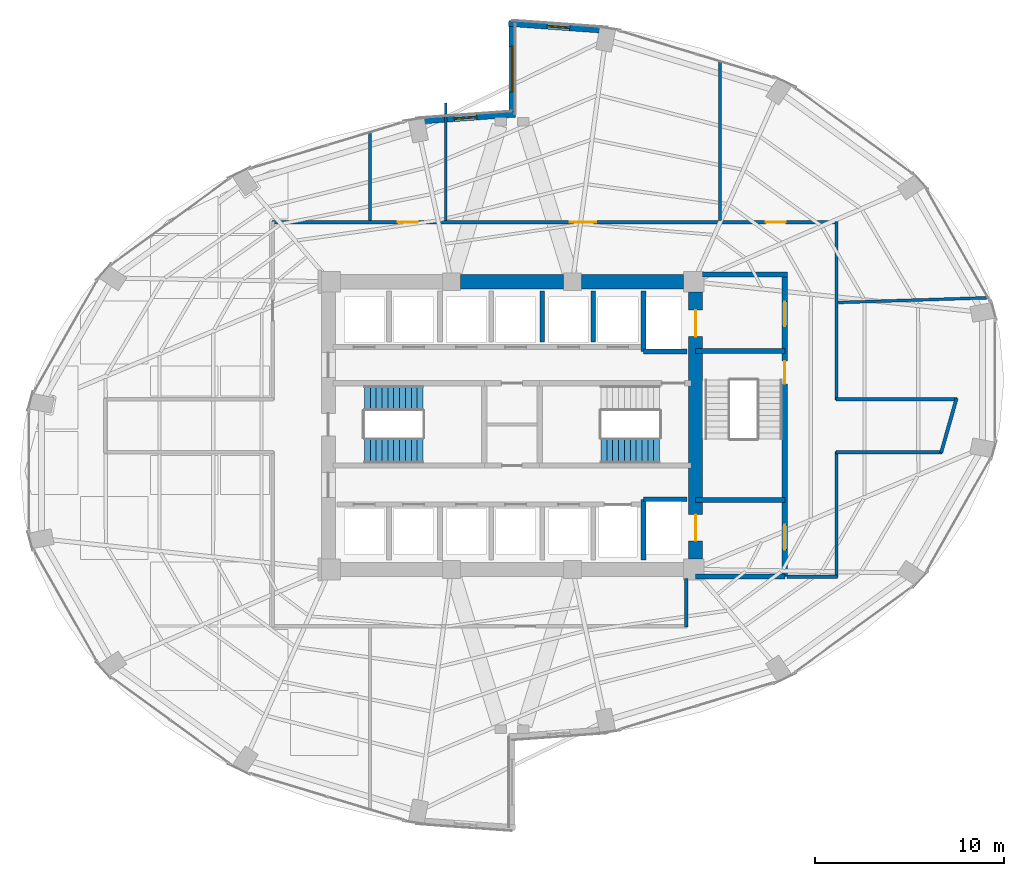
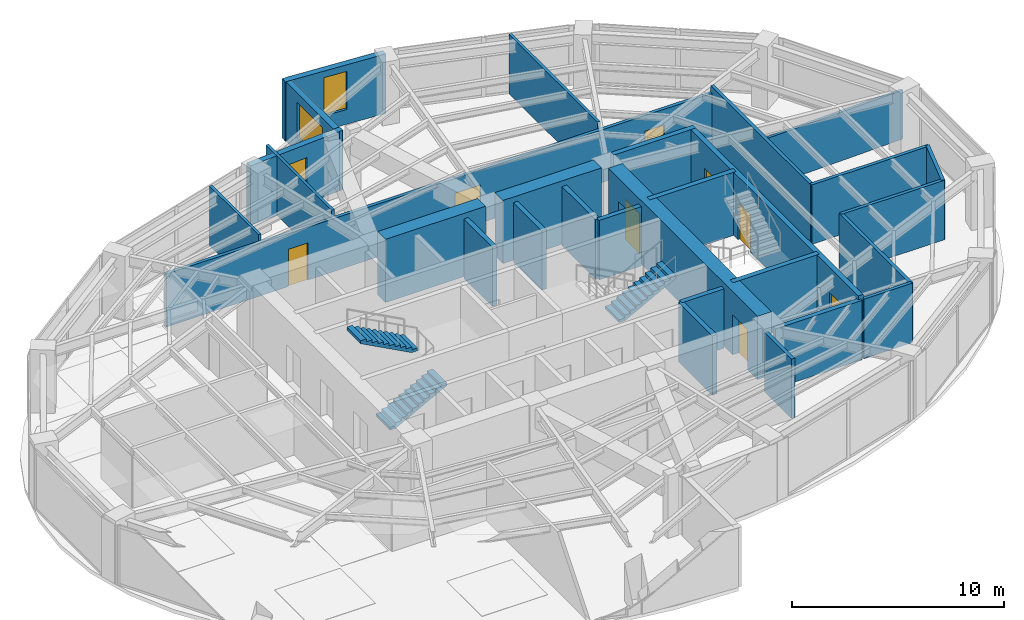
# One storey, part 20 of 23: 29 walls, 8 doors, 3 stair flights, 3 windows, 11 openings, 2 elements without a shape of their own.
"""IFC4 building model written with IfcOpenShell, lengths in metres."""

from ifc_helpers import new_model, si_unit, direction, frame, frame_2d, origin, place, context, subcontext, project, spatial, polyline, rectangle, outline, extrude, material, layer, layer_set, type_object, element, fill, aggregate, save


model = new_model("IFC4")

# Units and contexts
model_context = context("Model", 3, precision=1e-05, world=origin(), true_north=direction((0.0, 1.0)))
body_context = subcontext(model_context, "Body", "Model", "MODEL_VIEW")
ifc_project = project(units=[si_unit("LENGTHUNIT", "METRE"), si_unit("AREAUNIT", "SQUARE_METRE"), si_unit("VOLUMEUNIT", "CUBIC_METRE"), si_unit("PLANEANGLEUNIT", "RADIAN"), si_unit("MASSUNIT", "GRAM", prefix="KILO")], contexts=[model_context])

# Site, building, storey
site_placement = place(None, origin())
site = spatial("IfcSite", under=ifc_project, at=site_placement, CompositionType="ELEMENT")
building_placement = place(site_placement, origin())
building = spatial("IfcBuilding", under=site, at=building_placement, Name="Lazwardi Medical Tower", CompositionType="ELEMENT")
storey_placement = place(building_placement, frame((0.0, 0.0, 125.52001953125)))
storey = spatial("IfcBuildingStorey", under=building, at=storey_placement, Name="L32", CompositionType="ELEMENT", Elevation=125.52001953125)

# Wall, openings, doors
ifc_material_1 = material(Name="Fire-rated gypsum board on steel stud", Category="steel")
ifc_layer_1 = layer(ifc_material_1, 0.179931640625)
ifc_layer_set_1 = layer_set([ifc_layer_1], Name="Fire-rated gypsum board on steel stud")
wall_type_1 = type_object("IfcWallType", Name="WL-COR-180", PredefinedType="PARTITIONING", material=ifc_layer_set_1)
wall_1_placement = place(storey_placement, frame((23.31005859375, 38.75, 0.0), z_axis=(0.0, 0.0, 1.0), x_axis=(1.0, 0.0, 0.0)))
wall_1 = element("IfcWall", 1, at=wall_1_placement, inside=storey, type_object=wall_type_1, Name="L32 Corridor partition 4", PredefinedType="PARTITIONING", context=body_context, shape_type="SweptSolid", body=[
    extrude(rectangle(XDim=29.8798828125, YDim=0.179931640625, at=frame_2d((14.93994140625, 0.0))), origin(), (0.0, 0.0, 1.0), 3.052978515625),
])
opening_1_placement = place(wall_1_placement, frame((26.10107421875, 0.0, 0.0)))
opening_1 = element("IfcOpeningElement", 2, at=opening_1_placement, cuts=wall_1, Name="Opening D-L32-009", PredefinedType="OPENING", context=body_context, shape_type="SweptSolid", body=[
    extrude(rectangle(XDim=1.050048828125, YDim=2.14990234375, at=frame_2d((0.52490234375, 1.074951171875))), frame((0.0, 0.099853515625, 0.0), z_axis=(0.0, -1.0, 0.0), x_axis=(1.0, 0.0, 0.0)), (0.0, 0.0, 1.0), 0.199951171875),
])
opening_2_placement = place(wall_1_placement, frame((15.739990234375, 0.0, 0.0)))
opening_2 = element("IfcOpeningElement", 3, at=opening_2_placement, cuts=wall_1, Name="Opening D-L32-010", PredefinedType="OPENING", context=body_context, shape_type="SweptSolid", body=[
    extrude(rectangle(XDim=1.39990234375, YDim=2.199951171875, at=frame_2d((0.699951171875, 1.10009765625))), frame((0.0, 0.099853515625, 0.0), z_axis=(0.0, -1.0, 0.0), x_axis=(1.0, 0.0, 0.0)), (0.0, 0.0, 1.0), 0.199951171875),
])
opening_3_placement = place(wall_1_placement, frame((6.6650390625, 0.0, 0.0)))
opening_3 = element("IfcOpeningElement", 4, at=opening_3_placement, cuts=wall_1, Name="Opening D-L32-011", PredefinedType="OPENING", context=body_context, shape_type="SweptSolid", body=[
    extrude(rectangle(XDim=1.050048828125, YDim=2.14990234375, at=frame_2d((0.52490234375, 1.074951171875))), frame((0.0, 0.099853515625, 0.0), z_axis=(0.0, -1.0, 0.0), x_axis=(1.0, 0.0, 0.0)), (0.0, 0.0, 1.0), 0.199951171875),
])
ifc_material_2 = material(Name="Anti-microbial laminate hospital leaf")
door_type_1 = type_object("IfcDoorType", Name="DR-BED-1400", OperationType="NOTDEFINED", PredefinedType="DOOR", material=ifc_material_2)
door_1_placement = place(opening_2_placement, origin())
door_1 = element("IfcDoor", 5, at=door_1_placement, inside=storey, type_object=door_type_1, Name="L32 Patient Day Lounge Door 04", OperationType="SINGLE_SWING_RIGHT", OverallHeight=2.199951171875, OverallWidth=1.39990234375, PredefinedType="DOOR", context=body_context, shape_type="SweptSolid", body=[
    extrude(rectangle(XDim=1.39990234375, YDim=2.199951171875, at=frame_2d((0.699951171875, 1.10009765625))), frame((0.0, 0.02490234375, 0.0), z_axis=(0.0, -1.0, 0.0), x_axis=(1.0, 0.0, 0.0)), (0.0, 0.0, 1.0), 0.050048828125),
])
fill(opening_2, door_1)
door_type_2 = type_object("IfcDoorType", Name="DR-CLN-1050", OperationType="NOTDEFINED", PredefinedType="DOOR", material=ifc_material_2)
door_2_placement = place(opening_1_placement, origin())
door_2 = element("IfcDoor", 6, at=door_2_placement, inside=storey, type_object=door_type_2, Name="L32 Outpatient Consultation Suite Door 03", OperationType="SINGLE_SWING_LEFT", OverallHeight=2.14990234375, OverallWidth=1.050048828125, PredefinedType="DOOR", context=body_context, shape_type="SweptSolid", body=[
    extrude(rectangle(XDim=1.050048828125, YDim=2.14990234375, at=frame_2d((0.52490234375, 1.074951171875))), frame((0.0, 0.02490234375, 0.0), z_axis=(0.0, -1.0, 0.0), x_axis=(1.0, 0.0, 0.0)), (0.0, 0.0, 1.0), 0.050048828125),
])
fill(opening_1, door_2)
door_3_placement = place(opening_3_placement, origin())
door_3 = element("IfcDoor", 7, at=door_3_placement, inside=storey, type_object=door_type_2, Name="L32 Medical Duty Staff Room Door 05", OperationType="SINGLE_SWING_LEFT", OverallHeight=2.14990234375, OverallWidth=1.050048828125, PredefinedType="DOOR", context=body_context, shape_type="SweptSolid", body=[
    extrude(rectangle(XDim=1.050048828125, YDim=2.14990234375, at=frame_2d((0.52490234375, 1.074951171875))), frame((0.0, 0.02490234375, 0.0), z_axis=(0.0, -1.0, 0.0), x_axis=(1.0, 0.0, 0.0)), (0.0, 0.0, 1.0), 0.050048828125),
])
fill(opening_3, door_3)

# Walls
wall_2_placement = place(storey_placement, frame((53.14990234375, 38.7900390625, 0.0), z_axis=(0.0, 0.0, 1.0), x_axis=(0.0, -1.0, 0.0)))
element("IfcWall", 8, at=wall_2_placement, inside=storey, type_object=wall_type_1, Name="L32 Corridor partition 5", PredefinedType="PARTITIONING", context=body_context, shape_type="SweptSolid", body=[
    extrude(rectangle(XDim=9.429931640625, YDim=0.179931640625, at=frame_2d((4.71484375, 0.0))), origin(), (0.0, 0.0, 1.0), 3.427978515625),
])
wall_3_placement = place(storey_placement, frame((53.110107421875, 29.39990234375, 0.0), z_axis=(0.0, 0.0, 1.0), x_axis=(1.0, 0.0, 0.0)))
element("IfcWall", 9, at=wall_3_placement, inside=storey, type_object=wall_type_1, Name="L32 Corridor partition 6", PredefinedType="PARTITIONING", context=body_context, shape_type="SweptSolid", body=[
    extrude(rectangle(XDim=6.41259765625, YDim=0.179931640625, at=frame_2d((3.206298828125, 0.0))), origin(), (0.0, 0.0, 1.0), 3.427978515625),
])
wall_4_placement = place(storey_placement, frame((59.49365234375, 29.4384765625, 0.0), z_axis=(0.0, 0.0, 1.0), x_axis=(-0.273222154729, -0.961950962453, 0.0)))
element("IfcWall", 10, at=wall_4_placement, inside=storey, type_object=wall_type_1, Name="L32 Corridor partition 7", PredefinedType="PARTITIONING", context=body_context, shape_type="SweptSolid", body=[
    extrude(rectangle(XDim=2.99072265625, YDim=0.179931640625, at=frame_2d((1.495361328125, 0.0))), origin(), (0.0, 0.0, 1.0), 3.427978515625),
])
wall_5_placement = place(storey_placement, frame((58.727294921875, 26.60009765625, 0.0), z_axis=(0.0, 0.0, 1.0), x_axis=(-1.0, 0.0, 0.0)))
element("IfcWall", 11, at=wall_5_placement, inside=storey, type_object=wall_type_1, Name="L32 Corridor partition 8", PredefinedType="PARTITIONING", context=body_context, shape_type="SweptSolid", body=[
    extrude(rectangle(XDim=5.6171875, YDim=0.179931640625, at=frame_2d((2.80859375, 0.0))), origin(), (0.0, 0.0, 1.0), 3.427978515625),
])
wall_6_placement = place(storey_placement, frame((53.14990234375, 26.639892578125, 0.0), z_axis=(0.0, 0.0, 1.0), x_axis=(0.0, -1.0, 0.0)))
element("IfcWall", 12, at=wall_6_placement, inside=storey, type_object=wall_type_1, Name="L32 Corridor partition 9", PredefinedType="PARTITIONING", context=body_context, shape_type="SweptSolid", body=[
    extrude(rectangle(XDim=6.659912109375, YDim=0.179931640625, at=frame_2d((3.330078125, 0.0))), origin(), (0.0, 0.0, 1.0), 3.427978515625),
])
wall_7_placement = place(storey_placement, frame((53.18994140625, 20.02001953125, 0.0), z_axis=(0.0, 0.0, 1.0), x_axis=(-1.0, 0.0, 0.0)))
element("IfcWall", 13, at=wall_7_placement, inside=storey, type_object=wall_type_1, Name="L32 Corridor partition 10", PredefinedType="PARTITIONING", context=body_context, shape_type="SweptSolid", body=[
    extrude(rectangle(XDim=2.64990234375, YDim=0.179931640625, at=frame_2d((1.324951171875, 0.0))), origin(), (0.0, 0.0, 1.0), 3.427978515625),
])
wall_8_placement = place(storey_placement, frame((45.199951171875, 19.909912109375, 0.0), z_axis=(0.0, 0.0, 1.0), x_axis=(0.0, -1.0, 0.0)))
element("IfcWall", 14, at=wall_8_placement, inside=storey, type_object=wall_type_1, Name="L32 Corridor partition 13", PredefinedType="PARTITIONING", context=body_context, shape_type="SweptSolid", body=[
    extrude(rectangle(XDim=2.5498046875, YDim=0.179931640625, at=frame_2d((1.27490234375, 0.0))), origin(), (0.0, 0.0, 1.0), 3.427978515625),
])

# Wall, openings, doors
ifc_material_3 = material(Name="Concrete C70/85", Category="concrete")
ifc_layer_2 = layer(ifc_material_3, 0.75)
ifc_layer_set_2 = layer_set([ifc_layer_2], Name="Concrete C70/85")
wall_type_2 = type_object("IfcWallType", Name="WL-CORE-750", PredefinedType="SHEAR", material=ifc_layer_set_2)
wall_9_placement = place(storey_placement, frame((45.699951171875, 20.949951171875, 0.0), z_axis=(0.0, 0.0, 1.0), x_axis=(0.0, 1.0, 0.0)))
wall_9 = element("IfcWall", 15, at=wall_9_placement, inside=storey, type_object=wall_type_2, Name="Core wall CW-S2 east L32", PredefinedType="SHEAR", context=body_context, shape_type="SweptSolid", body=[
    extrude(rectangle(XDim=14.10009765625, YDim=0.75, at=frame_2d((7.050048828125, 0.0))), origin(), (0.0, 0.0, 1.0), 3.64794921875),
])
opening_4_placement = place(wall_9_placement, frame((11.75, 0.0, 0.0)))
opening_4 = element("IfcOpeningElement", 16, at=opening_4_placement, cuts=wall_9, Name="Opening LD-L32-001", PredefinedType="OPENING", context=body_context, shape_type="SweptSolid", body=[
    extrude(rectangle(XDim=1.39990234375, YDim=2.300048828125, at=frame_2d((0.699951171875, 1.14990234375))), frame((0.0, 0.385009765625, 0.0), z_axis=(0.0, -1.0, 0.0), x_axis=(1.0, 0.0, 0.0)), (0.0, 0.0, 1.0), 0.77001953125),
])
opening_5_placement = place(wall_9_placement, frame((0.949951171875, 0.0, 0.0)))
opening_5 = element("IfcOpeningElement", 17, at=opening_5_placement, cuts=wall_9, Name="Opening LD-L32-002", PredefinedType="OPENING", context=body_context, shape_type="SweptSolid", body=[
    extrude(rectangle(XDim=1.39990234375, YDim=2.300048828125, at=frame_2d((0.699951171875, 1.14990234375))), frame((0.0, 0.385009765625, 0.0), z_axis=(0.0, -1.0, 0.0), x_axis=(1.0, 0.0, 0.0)), (0.0, 0.0, 1.0), 0.77001953125),
])
ifc_material_4 = material(Name="Brushed stainless steel bed-lift landing door", Category="steel")
door_type_3 = type_object("IfcDoorType", Name="DR-LFT-1400", OperationType="NOTDEFINED", PredefinedType="DOOR", material=ifc_material_4)
door_4_placement = place(opening_4_placement, origin())
door_4 = element("IfcDoor", 18, at=door_4_placement, inside=storey, type_object=door_type_3, Name="L32 Lift Landing Door FL-01", OperationType="SLIDING_TO_LEFT", OverallHeight=2.300048828125, OverallWidth=1.39990234375, PredefinedType="DOOR", context=body_context, shape_type="SweptSolid", body=[
    extrude(rectangle(XDim=1.39990234375, YDim=2.300048828125, at=frame_2d((0.699951171875, 1.14990234375))), frame((0.0, 0.02490234375, 0.0), z_axis=(0.0, -1.0, 0.0), x_axis=(1.0, 0.0, 0.0)), (0.0, 0.0, 1.0), 0.050048828125),
])
fill(opening_4, door_4)
door_5_placement = place(opening_5_placement, origin())
door_5 = element("IfcDoor", 19, at=door_5_placement, inside=storey, type_object=door_type_3, Name="L32 Lift Landing Door FL-02", OperationType="SLIDING_TO_LEFT", OverallHeight=2.300048828125, OverallWidth=1.39990234375, PredefinedType="DOOR", context=body_context, shape_type="SweptSolid", body=[
    extrude(rectangle(XDim=1.39990234375, YDim=2.300048828125, at=frame_2d((0.699951171875, 1.14990234375))), frame((0.0, 0.02490234375, 0.0), z_axis=(0.0, -1.0, 0.0), x_axis=(1.0, 0.0, 0.0)), (0.0, 0.0, 1.0), 0.050048828125),
])
fill(opening_5, door_5)

# Walls
wall_10_placement = place(storey_placement, frame((33.27490234375, 35.60009765625, 0.0), z_axis=(0.0, 0.0, 1.0), x_axis=(1.0, 0.0, 0.0)))
element("IfcWall", 20, at=wall_10_placement, inside=storey, type_object=wall_type_2, Name="Core wall CW-S2 N2 L32", PredefinedType="SHEAR", context=body_context, shape_type="SweptSolid", body=[
    extrude(rectangle(XDim=5.4501953125, YDim=0.75, at=frame_2d((2.72509765625, 0.0))), origin(), (0.0, 0.0, 1.0), 3.64794921875),
])
wall_11_placement = place(storey_placement, frame((39.675048828125, 35.60009765625, 0.0), z_axis=(0.0, 0.0, 1.0), x_axis=(1.0, 0.0, 0.0)))
element("IfcWall", 21, at=wall_11_placement, inside=storey, type_object=wall_type_2, Name="Core wall CW-S2 N3 L32", PredefinedType="SHEAR", context=body_context, shape_type="SweptSolid", body=[
    extrude(rectangle(XDim=5.375, YDim=0.75, at=frame_2d((2.6875, 0.0))), origin(), (0.0, 0.0, 1.0), 3.64794921875),
])

# Wall, opening, window
ifc_material_5 = material(Name="Precast concrete C45/55", Category="concrete")
ifc_layer_3 = layer(ifc_material_5, 0.320068359375)
ifc_layer_set_3 = layer_set([ifc_layer_3], Name="Precast concrete C45/55")
wall_type_3 = type_object("IfcWallType", Name="WL-IWAN-320", PredefinedType="SOLIDWALL", material=ifc_layer_set_3)
wall_12_placement = place(storey_placement, frame((41.091064453125, 48.87451171875, 0.0), z_axis=(0.0, 0.0, 1.0), x_axis=(-0.997432364291, 0.071614793619, 0.0)))
wall_12 = element("IfcWall", 22, at=wall_12_placement, inside=storey, type_object=wall_type_3, Name="L32 Iwan Portal Return Wall NE_ret", PredefinedType="SOLIDWALL", context=body_context, shape_type="SweptSolid", body=[
    extrude(rectangle(XDim=5.2841796875, YDim=0.320068359375, at=frame_2d((2.64208984375, 0.0))), origin(), (0.0, 0.0, 1.0), 3.427978515625),
])
opening_6_placement = place(wall_12_placement, frame((2.0419921875, 0.0, 0.85009765625)))
opening_6 = element("IfcOpeningElement", 23, at=opening_6_placement, cuts=wall_12, Name="Opening WN-01", PredefinedType="OPENING", context=body_context, shape_type="SweptSolid", body=[
    extrude(rectangle(XDim=1.199951171875, YDim=2.199951171875, at=frame_2d((0.60009765625, 1.10009765625))), frame((0.0, 0.169921875, 0.0), z_axis=(0.0, -1.0, 0.0), x_axis=(1.0, 0.0, 0.0)), (0.0, 0.0, 1.0), 0.340087890625),
])
ifc_material_6 = material(Name="Low-e bronze solar control double glazing", Category="glass")
window_type_1 = type_object("IfcWindowType", Name="WIN-IW-1200", PartitioningType="SINGLE_PANEL", PredefinedType="WINDOW", material=ifc_material_6)
window_1_placement = place(opening_6_placement, origin())
window_1 = element("IfcWindow", 24, at=window_1_placement, inside=storey, type_object=window_type_1, Name="L32 Iwan Slot Window NE_ret", OverallHeight=2.199951171875, OverallWidth=1.199951171875, PartitioningType="SINGLE_PANEL", PredefinedType="WINDOW", context=body_context, shape_type="SweptSolid", body=[
    extrude(rectangle(XDim=1.199951171875, YDim=2.199951171875, at=frame_2d((0.60009765625, 1.10009765625))), frame((0.0, 0.030029296875, 0.0), z_axis=(0.0, -1.0, 0.0), x_axis=(1.0, 0.0, 0.0)), (0.0, 0.0, 1.0), 0.06005859375),
])
fill(opening_6, window_1)

wall_13_placement = place(storey_placement, frame((36.178955078125, 44.452880859375, 0.0), z_axis=(0.0, 0.0, 1.0), x_axis=(-0.997431890304, -0.071621394884, 0.0)))
wall_13 = element("IfcWall", 25, at=wall_13_placement, inside=storey, type_object=wall_type_3, Name="L32 Iwan Portal Return Wall NW_ret", PredefinedType="SOLIDWALL", context=body_context, shape_type="SweptSolid", body=[
    extrude(rectangle(XDim=5.28369140625, YDim=0.320068359375, at=frame_2d((2.641845703125, 0.0))), origin(), (0.0, 0.0, 1.0), 3.427978515625),
])
opening_7_placement = place(wall_13_placement, frame((2.041748046875, 0.0, 0.85009765625)))
opening_7 = element("IfcOpeningElement", 26, at=opening_7_placement, cuts=wall_13, Name="Opening WN-04", PredefinedType="OPENING", context=body_context, shape_type="SweptSolid", body=[
    extrude(rectangle(XDim=1.199951171875, YDim=1.800048828125, at=frame_2d((0.60009765625, 0.89990234375))), frame((0.0, 0.169921875, 0.0), z_axis=(0.0, -1.0, 0.0), x_axis=(1.0, 0.0, 0.0)), (0.0, 0.0, 1.0), 0.340087890625),
])
window_type_2 = type_object("IfcWindowType", Name="WIN-DRUM-1200", PartitioningType="SINGLE_PANEL", PredefinedType="WINDOW", material=ifc_material_6)
window_2_placement = place(opening_7_placement, origin())
window_2 = element("IfcWindow", 27, at=window_2_placement, inside=storey, type_object=window_type_2, Name="L32 Iwan Slot Window NW_ret", OverallHeight=1.800048828125, OverallWidth=1.199951171875, PartitioningType="SINGLE_PANEL", PredefinedType="WINDOW", context=body_context, shape_type="SweptSolid", body=[
    extrude(rectangle(XDim=1.199951171875, YDim=1.800048828125, at=frame_2d((0.60009765625, 0.89990234375))), frame((0.0, 0.030029296875, 0.0), z_axis=(0.0, -1.0, 0.0), x_axis=(1.0, 0.0, 0.0)), (0.0, 0.0, 1.0), 0.06005859375),
])
fill(opening_7, window_2)

wall_14_placement = place(storey_placement, frame((36.0, 49.39990234375, 0.0), z_axis=(0.0, 0.0, 1.0), x_axis=(0.0, -1.0, 0.0)))
wall_14 = element("IfcWall", 28, at=wall_14_placement, inside=storey, type_object=wall_type_3, Name="L32 Turquoise Tilework Iwan Seam Wall N_seam", PredefinedType="SOLIDWALL", context=body_context, shape_type="SweptSolid", body=[
    extrude(rectangle(XDim=5.119873046875, YDim=0.320068359375, at=frame_2d((2.56005859375, 0.0))), origin(), (0.0, 0.0, 1.0), 3.427978515625),
])
opening_8_placement = place(wall_14_placement, frame((1.360107421875, 0.0, 0.840087890625)))
opening_8 = element("IfcOpeningElement", 29, at=opening_8_placement, cuts=wall_14, Name="Opening WN-02", PredefinedType="OPENING", context=body_context, shape_type="SweptSolid", body=[
    extrude(rectangle(XDim=2.39990234375, YDim=2.0400390625, at=frame_2d((1.199951171875, 1.02001953125))), frame((0.0, 0.169921875, 0.0), z_axis=(0.0, -1.0, 0.0), x_axis=(1.0, 0.0, 0.0)), (0.0, 0.0, 1.0), 0.340087890625),
])
window_type_3 = type_object("IfcWindowType", Name="WIN-IW-2400", PartitioningType="SINGLE_PANEL", PredefinedType="WINDOW", material=ifc_material_6)
window_3_placement = place(opening_8_placement, origin())
window_3 = element("IfcWindow", 30, at=window_3_placement, inside=storey, type_object=window_type_3, Name="L32 Iwan Seam Window N_seam", OverallHeight=2.0400390625, OverallWidth=2.39990234375, PartitioningType="SINGLE_PANEL", PredefinedType="WINDOW", context=body_context, shape_type="SweptSolid", body=[
    extrude(rectangle(XDim=2.39990234375, YDim=2.0400390625, at=frame_2d((1.199951171875, 1.02001953125))), frame((0.0, 0.030029296875, 0.0), z_axis=(0.0, -1.0, 0.0), x_axis=(1.0, 0.0, 0.0)), (0.0, 0.0, 1.0), 0.06005859375),
])
fill(opening_8, window_3)

# Walls
ifc_material_7 = material(Name="Autoclaved aerated concrete blockwork", Category="masonry")
ifc_layer_4 = layer(ifc_material_7, 0.25)
ifc_layer_set_4 = layer_set([ifc_layer_4], Name="Autoclaved aerated concrete blockwork")
wall_type_4 = type_object("IfcWallType", Name="WL-SHAFT-250", PredefinedType="SOLIDWALL", material=ifc_layer_set_4)
wall_15_placement = place(storey_placement, frame((42.949951171875, 31.919921875, 0.0), z_axis=(0.0, 0.0, 1.0), x_axis=(0.0, 1.0, 0.0)))
element("IfcWall", 31, at=wall_15_placement, inside=storey, type_object=wall_type_4, Name="L32 FL-01 West shaft wall", PredefinedType="SOLIDWALL", context=body_context, shape_type="SweptSolid", body=[
    extrude(rectangle(XDim=3.18017578125, YDim=0.25, at=frame_2d((1.590087890625, 0.0))), origin(), (0.0, 0.0, 1.0), 3.427978515625),
])
wall_16_placement = place(storey_placement, frame((42.949951171875, 31.919921875, 0.0), z_axis=(0.0, 0.0, 1.0), x_axis=(1.0, 0.0, 0.0)))
element("IfcWall", 32, at=wall_16_placement, inside=storey, type_object=wall_type_4, Name="L32 FL-01 South shaft wall", PredefinedType="SOLIDWALL", context=body_context, shape_type="SweptSolid", body=[
    extrude(rectangle(XDim=2.300048828125, YDim=0.25, at=frame_2d((1.14990234375, 0.0))), origin(), (0.0, 0.0, 1.0), 3.427978515625),
])
wall_17_placement = place(storey_placement, frame((42.949951171875, 20.89990234375, 0.0), z_axis=(0.0, 0.0, 1.0), x_axis=(0.0, 1.0, 0.0)))
element("IfcWall", 33, at=wall_17_placement, inside=storey, type_object=wall_type_4, Name="L32 FL-02 West shaft wall", PredefinedType="SOLIDWALL", context=body_context, shape_type="SweptSolid", body=[
    extrude(rectangle(XDim=3.2001953125, YDim=0.25, at=frame_2d((1.60009765625, 0.0))), origin(), (0.0, 0.0, 1.0), 3.427978515625),
])
wall_18_placement = place(storey_placement, frame((42.949951171875, 24.10009765625, 0.0), z_axis=(0.0, 0.0, 1.0), x_axis=(1.0, 0.0, 0.0)))
element("IfcWall", 34, at=wall_18_placement, inside=storey, type_object=wall_type_4, Name="L32 FL-02 North shaft wall", PredefinedType="SOLIDWALL", context=body_context, shape_type="SweptSolid", body=[
    extrude(rectangle(XDim=2.300048828125, YDim=0.25, at=frame_2d((1.14990234375, 0.0))), origin(), (0.0, 0.0, 1.0), 3.427978515625),
])
for number, where, z_axis, x_axis, name in (
    (35, (37.60009765625, 32.419921875, 0.0), (0.0, 0.0, 1.0), (0.0, 1.0, 0.0), "L32 North hoistway divider"),
    (36, (40.300048828125, 32.419921875, 0.0), (0.0, 0.0, 1.0), (0.0, 1.0, 0.0), "L32 North hoistway divider"),
):
    element("IfcWall", number, at=place(storey_placement, frame(where, z_axis=z_axis, x_axis=x_axis)), inside=storey, type_object=wall_type_4, Name=name, PredefinedType="SOLIDWALL", context=body_context, shape_type="SweptSolid", body=[
        extrude(rectangle(XDim=2.68017578125, YDim=0.25, at=frame_2d((1.340087890625, 0.0))), origin(), (0.0, 0.0, 1.0), 3.427978515625),
    ])
wall_19_placement = place(storey_placement, frame((45.699951171875, 20.02001953125, 0.0), z_axis=(0.0, 0.0, 1.0), x_axis=(1.0, 0.0, 0.0)))
element("IfcWall", 37, at=wall_19_placement, inside=storey, type_object=wall_type_4, Name="L32 FFL-S South wall", PredefinedType="SOLIDWALL", context=body_context, shape_type="SweptSolid", body=[
    extrude(rectangle(XDim=4.715087890625, YDim=0.25, at=frame_2d((2.357421875, 0.0))), origin(), (0.0, 0.0, 1.0), 3.427978515625),
])

# Wall, openings, doors
ifc_material_8 = material(Name="Concrete C50/60", Category="concrete")
ifc_layer_5 = layer(ifc_material_8, 0.27001953125)
ifc_layer_set_5 = layer_set([ifc_layer_5], Name="Concrete C50/60")
wall_type_5 = type_object("IfcWallType", Name="WL-STR-250", PredefinedType="SHEAR", material=ifc_layer_set_5)
wall_20_placement = place(storey_placement, frame((50.4150390625, 35.844970703125, 0.0), z_axis=(0.0, 0.0, 1.0), x_axis=(0.0, -1.0, 0.0)))
wall_20 = element("IfcWall", 38, at=wall_20_placement, inside=storey, type_object=wall_type_5, Name="L32 East ST3 & FFL shear wall SW-S1", PredefinedType="SHEAR", context=body_context, shape_type="SweptSolid", body=[
    extrude(rectangle(XDim=15.824951171875, YDim=0.27001953125, at=frame_2d((7.91259765625, 0.0))), origin(), (0.0, 0.0, 1.0), 3.64794921875),
])
opening_9_placement = place(wall_20_placement, frame((4.445068359375, 0.0, 0.0)))
opening_9 = element("IfcOpeningElement", 39, at=opening_9_placement, cuts=wall_20, Name="Opening D-L32-014", PredefinedType="OPENING", context=body_context, shape_type="SweptSolid", body=[
    extrude(rectangle(XDim=1.199951171875, YDim=2.14990234375, at=frame_2d((0.60009765625, 1.074951171875))), frame((0.0, 0.14501953125, 0.0), z_axis=(0.0, -1.0, 0.0), x_axis=(1.0, 0.0, 0.0)), (0.0, 0.0, 1.0), 0.2900390625),
])
opening_10_placement = place(wall_20_placement, frame((1.294921875, 0.0, 0.0)))
opening_10 = element("IfcOpeningElement", 40, at=opening_10_placement, cuts=wall_20, Name="Opening D-L32-003", PredefinedType="OPENING", context=body_context, shape_type="SweptSolid", body=[
    extrude(rectangle(XDim=1.300048828125, YDim=2.199951171875, at=frame_2d((0.64990234375, 1.10009765625))), frame((0.0, 0.14501953125, 0.0), z_axis=(0.0, -1.0, 0.0), x_axis=(1.0, 0.0, 0.0)), (0.0, 0.0, 1.0), 0.2900390625),
])
opening_11_placement = place(wall_20_placement, frame((13.094970703125, 0.0, 0.0)))
opening_11 = element("IfcOpeningElement", 41, at=opening_11_placement, cuts=wall_20, Name="Opening D-L32-004", PredefinedType="OPENING", context=body_context, shape_type="SweptSolid", body=[
    extrude(rectangle(XDim=1.300048828125, YDim=2.199951171875, at=frame_2d((0.64990234375, 1.10009765625))), frame((0.0, 0.14501953125, 0.0), z_axis=(0.0, -1.0, 0.0), x_axis=(1.0, 0.0, 0.0)), (0.0, 0.0, 1.0), 0.2900390625),
])
ifc_material_9 = material(Name="Fire-rated steel leaf and frame", Category="steel")
door_type_4 = type_object("IfcDoorType", Name="DR-FFL-1300", OperationType="NOTDEFINED", PredefinedType="DOOR", material=ifc_material_9)
door_6_placement = place(opening_10_placement, origin())
door_6 = element("IfcDoor", 42, at=door_6_placement, inside=storey, type_object=door_type_4, Name="L32 Fire-Fighting Lobby North Door", OperationType="SINGLE_SWING_LEFT", OverallHeight=2.199951171875, OverallWidth=1.300048828125, PredefinedType="DOOR", context=body_context, shape_type="SweptSolid", body=[
    extrude(rectangle(XDim=1.300048828125, YDim=2.199951171875, at=frame_2d((0.64990234375, 1.10009765625))), frame((0.0, 0.02490234375, 0.0), z_axis=(0.0, -1.0, 0.0), x_axis=(1.0, 0.0, 0.0)), (0.0, 0.0, 1.0), 0.050048828125),
])
fill(opening_10, door_6)
door_7_placement = place(opening_11_placement, origin())
door_7 = element("IfcDoor", 43, at=door_7_placement, inside=storey, type_object=door_type_4, Name="L32 Fire-Fighting Lobby South Door", OperationType="SINGLE_SWING_RIGHT", OverallHeight=2.199951171875, OverallWidth=1.300048828125, PredefinedType="DOOR", context=body_context, shape_type="SweptSolid", body=[
    extrude(rectangle(XDim=1.300048828125, YDim=2.199951171875, at=frame_2d((0.64990234375, 1.10009765625))), frame((0.0, 0.02490234375, 0.0), z_axis=(0.0, -1.0, 0.0), x_axis=(1.0, 0.0, 0.0)), (0.0, 0.0, 1.0), 0.050048828125),
])
fill(opening_11, door_7)
door_type_5 = type_object("IfcDoorType", Name="DR-STR-1200", OperationType="NOTDEFINED", PredefinedType="DOOR", material=ifc_material_9)
door_8_placement = place(opening_9_placement, origin())
door_8 = element("IfcDoor", 44, at=door_8_placement, inside=storey, type_object=door_type_5, Name="L32 Exit Stair ST3 Door", OperationType="SINGLE_SWING_RIGHT", OverallHeight=2.14990234375, OverallWidth=1.199951171875, PredefinedType="DOOR", context=body_context, shape_type="SweptSolid", body=[
    extrude(rectangle(XDim=1.199951171875, YDim=2.14990234375, at=frame_2d((0.60009765625, 1.074951171875))), frame((0.0, 0.02490234375, 0.0), z_axis=(0.0, -1.0, 0.0), x_axis=(1.0, 0.0, 0.0)), (0.0, 0.0, 1.0), 0.050048828125),
])
fill(opening_9, door_8)

# Walls
wall_21_placement = place(storey_placement, frame((46.074951171875, 35.97998046875, 0.0), z_axis=(0.0, 0.0, 1.0), x_axis=(1.0, 0.0, 0.0)))
element("IfcWall", 45, at=wall_21_placement, inside=storey, type_object=wall_type_5, Name="L32 FFL-N North shear wall SW-S1", PredefinedType="SHEAR", context=body_context, shape_type="SweptSolid", body=[
    extrude(rectangle(XDim=4.47509765625, YDim=0.27001953125, at=frame_2d((2.237548828125, 0.0))), origin(), (0.0, 0.0, 1.0), 3.64794921875),
])
for number, where, z_axis, x_axis, name in (
    (46, (45.699951171875, 31.93505859375, 0.0), (0.0, 0.0, 1.0), (1.0, 0.0, 0.0), "L32 ST3 North shear shaft wall SW-S1"),
    (47, (45.699951171875, 24.06494140625, 0.0), (0.0, 0.0, 1.0), (1.0, 0.0, 0.0), "L32 ST3 South shear shaft wall SW-S1"),
):
    element("IfcWall", number, at=place(storey_placement, frame(where, z_axis=z_axis, x_axis=x_axis)), inside=storey, type_object=wall_type_5, Name=name, PredefinedType="SHEAR", context=body_context, shape_type="SweptSolid", body=[
        extrude(rectangle(XDim=4.715087890625, YDim=0.27001953125, at=frame_2d((2.357421875, 0.0))), origin(), (0.0, 0.0, 1.0), 3.64794921875),
    ])
ifc_material_10 = material(Name="Acoustic gypsum board partition")
ifc_layer_6 = layer(ifc_material_10, 0.14990234375)
ifc_layer_set_6 = layer_set([ifc_layer_6], Name="Acoustic gypsum board partition")
wall_type_6 = type_object("IfcWallType", Name="WL-WRD-150", PredefinedType="PARTITIONING", material=ifc_layer_set_6)
wall_22_placement = place(storey_placement, frame((53.239990234375, 34.50244140625, 0.0), z_axis=(0.0, 0.0, 1.0), x_axis=(0.999499445349, 0.031636351679, 0.0)))
element("IfcWall", 48, at=wall_22_placement, inside=storey, type_object=wall_type_6, Name="L32 Room partition 1", PredefinedType="PARTITIONING", context=body_context, shape_type="SweptSolid", body=[
    extrude(rectangle(XDim=7.93310546875, YDim=0.14990234375, at=frame_2d((3.966552734375, 0.0))), origin(), (0.0, 0.0, 1.0), 2.81298828125),
])
wall_23_placement = place(storey_placement, frame((28.5, 38.840087890625, 0.0), z_axis=(0.0, 0.0, 1.0), x_axis=(0.0, 1.0, 0.0)))
element("IfcWall", 49, at=wall_23_placement, inside=storey, type_object=wall_type_6, Name="L32 Room partition 2", PredefinedType="PARTITIONING", context=body_context, shape_type="SweptSolid", body=[
    extrude(rectangle(XDim=4.64501953125, YDim=0.14990234375, at=frame_2d((2.322509765625, 0.0))), origin(), (0.0, 0.0, 1.0), 3.427978515625),
])
wall_24_placement = place(storey_placement, frame((32.5, 38.840087890625, 0.0), z_axis=(0.0, 0.0, 1.0), x_axis=(0.0, 1.0, 0.0)))
element("IfcWall", 50, at=wall_24_placement, inside=storey, type_object=wall_type_6, Name="L32 Room partition 3", PredefinedType="PARTITIONING", context=body_context, shape_type="SweptSolid", body=[
    extrude(rectangle(XDim=6.213623046875, YDim=0.14990234375, at=frame_2d((3.10693359375, 0.0))), origin(), (0.0, 0.0, 1.0), 3.427978515625),
])
wall_25_placement = place(storey_placement, frame((47.0, 38.840087890625, 0.0), z_axis=(0.0, 0.0, 1.0), x_axis=(0.0, 1.0, 0.0)))
element("IfcWall", 51, at=wall_25_placement, inside=storey, type_object=wall_type_6, Name="L32 Room partition 4", PredefinedType="PARTITIONING", context=body_context, shape_type="SweptSolid", body=[
    extrude(rectangle(XDim=8.38671875, YDim=0.14990234375, at=frame_2d((4.193359375, 0.0))), origin(), (0.0, 0.0, 1.0), 3.427978515625),
])

# Stair, stair flights
ifc_material_11 = material(Name="Concrete C45/55", Category="concrete")
stair_type = type_object("IfcStairType", Name="STR-WRD", PredefinedType="HALF_TURN_STAIR", material=ifc_material_11)
stair_1_placement = place(storey_placement, origin())
stair_1 = element("IfcStair", 52, at=stair_1_placement, inside=storey, type_object=stair_type, Name="L32 Protected Exit Stair ST1", PredefinedType="HALF_TURN_STAIR")
stair_flight_type = type_object("IfcStairFlightType", Name="FLT-WRD", PredefinedType="STRAIGHT", material=ifc_material_11)
stair_flight_1_placement = place(storey_placement, frame((28.199951171875, 26.679931640625, 0.0), z_axis=(0.0, 0.0, 1.0), x_axis=(1.0, 0.0, 0.0)))
stair_flight_1 = element("IfcStairFlight", 53, at=stair_flight_1_placement, type_object=stair_flight_type, Name="ST1 flight 1", NumberOfRisers=11, NumberOfTreads=10, PredefinedType="STRAIGHT", RiserHeight=0.165818182, TreadLength=0.31, context=body_context, shape_type="SweptSolid", body=[
    extrude(outline(polyline([(0.0, 0.0), (0.0, 0.165771484375), (0.31005859375, 0.165771484375), (0.31005859375, 0.33154296875), (0.6201171875, 0.33154296875), (0.6201171875, 0.49755859375), (0.929931640625, 0.49755859375), (0.929931640625, 0.663330078125), (1.239990234375, 0.663330078125), (1.239990234375, 0.8291015625), (1.550048828125, 0.8291015625), (1.550048828125, 0.994873046875), (1.860107421875, 0.994873046875), (1.860107421875, 1.16064453125), (2.169921875, 1.16064453125), (2.169921875, 1.32666015625), (2.47998046875, 1.32666015625), (2.47998046875, 1.492431640625), (2.7900390625, 1.492431640625), (2.7900390625, 1.658203125), (3.10009765625, 1.658203125), (3.10009765625, 1.823974609375), (3.10009765625, 1.48828125), (0.31787109375, 0.0), (0.0, 0.0)])), frame((0.0, 0.66015625, 0.0), z_axis=(0.0, -1.0, 0.0), x_axis=(1.0, 0.0, 0.0)), (0.0, 0.0, 1.0), 1.320068359375),
])
stair_flight_2_placement = place(storey_placement, frame((31.300048828125, 29.43994140625, 1.823974609375), z_axis=(0.0, 0.0, 1.0), x_axis=(-1.0, 0.0, 0.0)))
stair_flight_2 = element("IfcStairFlight", 54, at=stair_flight_2_placement, type_object=stair_flight_type, Name="ST1 flight 2", NumberOfRisers=11, NumberOfTreads=10, PredefinedType="STRAIGHT", RiserHeight=0.165818182, TreadLength=0.31, context=body_context, shape_type="SweptSolid", body=[
    extrude(outline(polyline([(0.0, 0.0), (0.0, 0.165771484375), (0.31005859375, 0.165771484375), (0.31005859375, 0.33154296875), (0.6201171875, 0.33154296875), (0.6201171875, 0.49755859375), (0.929931640625, 0.49755859375), (0.929931640625, 0.663330078125), (1.239990234375, 0.663330078125), (1.239990234375, 0.8291015625), (1.550048828125, 0.8291015625), (1.550048828125, 0.994873046875), (1.860107421875, 0.994873046875), (1.860107421875, 1.16064453125), (2.169921875, 1.16064453125), (2.169921875, 1.32666015625), (2.47998046875, 1.32666015625), (2.47998046875, 1.492431640625), (2.7900390625, 1.492431640625), (2.7900390625, 1.658203125), (3.10009765625, 1.658203125), (3.10009765625, 1.823974609375), (3.10009765625, 1.48828125), (0.31787109375, 0.0), (0.0, 0.0)])), frame((0.0, 0.66015625, 0.0), z_axis=(0.0, -1.0, 0.0), x_axis=(1.0, 0.0, 0.0)), (0.0, 0.0, 1.0), 1.320068359375),
])
aggregate(stair_1, [stair_flight_1, stair_flight_2])

# Stair, stair flight
stair_2_placement = place(storey_placement, origin())
stair_2 = element("IfcStair", 55, at=stair_2_placement, inside=storey, type_object=stair_type, Name="L32 Protected Exit Stair ST2", PredefinedType="HALF_TURN_STAIR")
stair_flight_3_placement = place(storey_placement, frame((40.699951171875, 26.679931640625, 1.823974609375), z_axis=(0.0, 0.0, 1.0), x_axis=(1.0, 0.0, 0.0)))
stair_flight_3 = element("IfcStairFlight", 56, at=stair_flight_3_placement, type_object=stair_flight_type, Name="ST2 flight 2", NumberOfRisers=11, NumberOfTreads=10, PredefinedType="STRAIGHT", RiserHeight=0.165818182, TreadLength=0.31, context=body_context, shape_type="SweptSolid", body=[
    extrude(outline(polyline([(0.0, 0.0), (0.0, 0.165771484375), (0.31005859375, 0.165771484375), (0.31005859375, 0.33154296875), (0.6201171875, 0.33154296875), (0.6201171875, 0.49755859375), (0.929931640625, 0.49755859375), (0.929931640625, 0.663330078125), (1.239990234375, 0.663330078125), (1.239990234375, 0.8291015625), (1.550048828125, 0.8291015625), (1.550048828125, 0.994873046875), (1.860107421875, 0.994873046875), (1.860107421875, 1.16064453125), (2.169921875, 1.16064453125), (2.169921875, 1.32666015625), (2.47998046875, 1.32666015625), (2.47998046875, 1.492431640625), (2.7900390625, 1.492431640625), (2.7900390625, 1.658203125), (3.10009765625, 1.658203125), (3.10009765625, 1.823974609375), (3.10009765625, 1.48828125), (0.31787109375, 0.0), (0.0, 0.0)])), frame((0.0, 0.66015625, 0.0), z_axis=(0.0, -1.0, 0.0), x_axis=(1.0, 0.0, 0.0)), (0.0, 0.0, 1.0), 1.320068359375),
])
aggregate(stair_2, [stair_flight_3])

save(model, "model.ifc")
